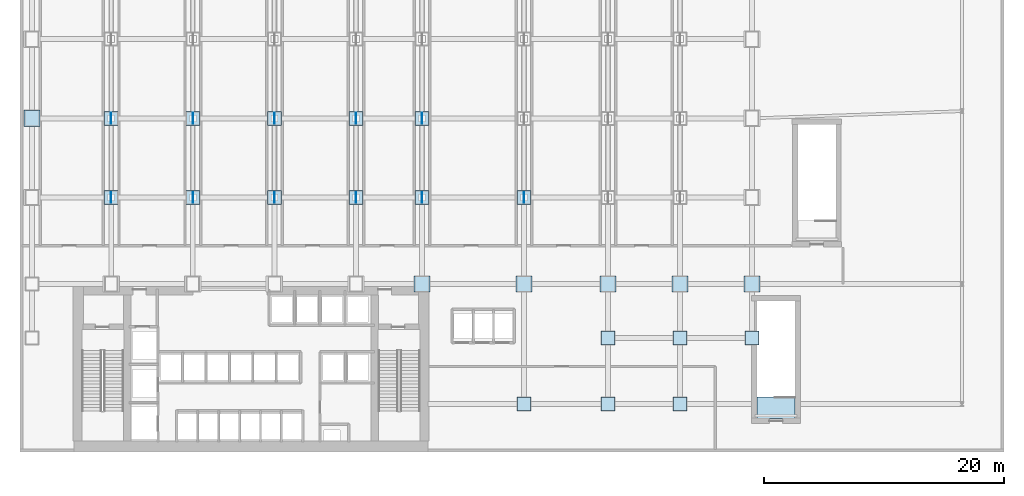
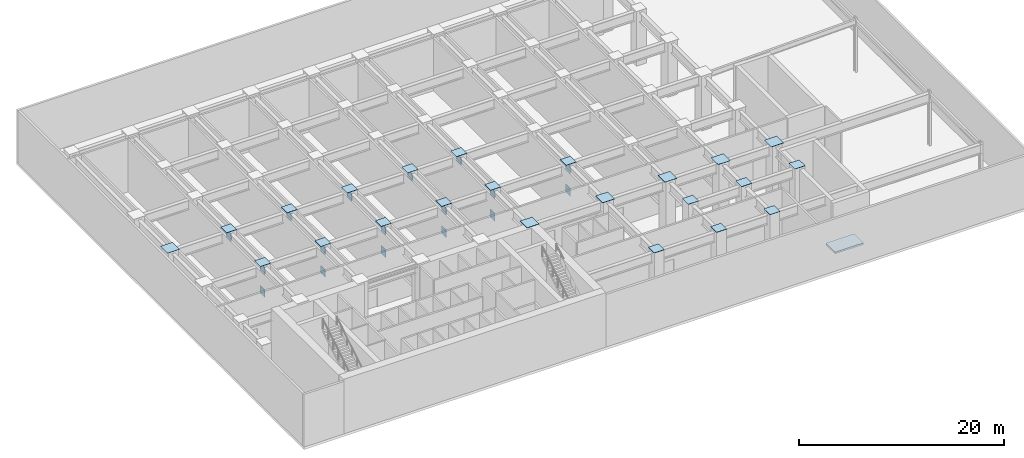
# One storey, part 6 of 15: 40 plates, 1 slab.
"""IFC4 building model written with IfcOpenShell, lengths in metres."""

from ifc_helpers import new_model, si_unit, derived_unit, direction, frame, origin, origin_2d, place, context, subcontext, project, spatial, polyline, rectangle, outline, extrude, source, transform, mapped, material, layer, layer_set, type_object, element, save


model = new_model("IFC4")

# Units and contexts
model_context = context("Model", 3, precision=1e-05, world=origin(), true_north=direction((0.0, 1.0)))
body_context = subcontext(model_context, "Body", "Model", "MODEL_VIEW")
ifc_project = project(units=[si_unit("LENGTHUNIT", "METRE"), si_unit("AREAUNIT", "SQUARE_METRE"), si_unit("VOLUMEUNIT", "CUBIC_METRE"), si_unit("PLANEANGLEUNIT", "RADIAN"), si_unit("MASSUNIT", "GRAM", prefix="KILO"), derived_unit("THERMALTRANSMITTANCEUNIT", [(si_unit("POWERUNIT", "WATT"), 1), (si_unit("LENGTHUNIT", "METRE"), -2), (si_unit("THERMODYNAMICTEMPERATUREUNIT", "KELVIN"), -1)])], contexts=[model_context])

# Site, building, storey
site_placement = place(None, origin())
site = spatial("IfcSite", under=ifc_project, at=site_placement, CompositionType="ELEMENT")
building_placement = place(site_placement, origin())
building = spatial("IfcBuilding", under=site, at=building_placement, Name="Skarnbrae Concourse Arena and Tower", CompositionType="ELEMENT")
storey_placement = place(building_placement, frame((0.0, 0.0, 26.0)))
storey = spatial("IfcBuildingStorey", under=building, at=storey_placement, Name="L05", CompositionType="ELEMENT", Elevation=26.0)

# Slab
ifc_material_1 = material(Name="Concrete 40 MPa (C40/50)", Category="concrete")
ifc_layer_1 = layer(ifc_material_1, 0.199951171875)
ifc_layer_set_1 = layer_set([ifc_layer_1], Name="Concrete 40 MPa (C40/50)")
slab_type = type_object("IfcSlabType", Name="SLAB-LANDING-200", PredefinedType="LANDING", material=ifc_layer_set_1)
slab_placement = place(storey_placement, frame((0.0, 0.0, -0.199951171875)))
element("IfcSlab", 1, at=slab_placement, inside=storey, type_object=slab_type, Name="L05 Stair ST-A1 near floor landing", PredefinedType="LANDING", context=body_context, shape_type="SweptSolid", body=[
    extrude(outline(polyline([(64.60009765625, 2.800048828125), (64.60009765625, 4.60009765625), (61.39990234375, 4.60009765625), (61.39990234375, 2.800048828125), (64.60009765625, 2.800048828125)])), origin(), (0.0, 0.0, 1.0), 0.199951171875),
])

# Plates
ifc_material_2 = material(Name="Steel CSA G40.21 350W", Category="steel")
ifc_layer_2 = layer(ifc_material_2, 0.044921875)
ifc_layer_set_2 = layer_set([ifc_layer_2], Name="Steel CSA G40.21 350W")
plate_type_1 = type_object("IfcPlateType", Name="PLT-NODE-XFER", PredefinedType="USERDEFINED", material=ifc_layer_set_2)
shared_shape_1 = source(origin(), body_context, "Body", "SweptSolid", [
    extrude(rectangle(XDim=0.89990234375, YDim=0.044921875, at=origin_2d()), origin(), (0.0, 0.0, 1.0), 0.89990234375),
])
for number, where, z_axis, x_axis, name in (
    (2, (7.60009765625, 21.199951171875, 5.240966796875), (0.0, 0.0, 1.0), (0.0, 1.0, 0.0), "L05 Transfer truss node plate ND-TR-01 T1.1"),
    (3, (7.60009765625, 27.800048828125, 5.240966796875), (0.0, 0.0, 1.0), (0.0, 1.0, 0.0), "L05 Transfer truss node plate ND-TR-01 T1.2"),
    (4, (7.60009765625, 21.199951171875, 2.570068359375), (0.0, 0.0, 1.0), (0.0, 1.0, 0.0), "L05 Transfer truss Vierendeel portal node plate ND-TR-01 T1"),
    (5, (14.39990234375, 21.199951171875, 5.240966796875), (0.0, 0.0, 1.0), (0.0, 1.0, 0.0), "L05 Transfer truss node plate ND-TR-01 T2.1"),
    (6, (14.39990234375, 27.800048828125, 5.240966796875), (0.0, 0.0, 1.0), (0.0, 1.0, 0.0), "L05 Transfer truss node plate ND-TR-01 T2.2"),
    (7, (14.39990234375, 21.199951171875, 2.570068359375), (0.0, 0.0, 1.0), (0.0, 1.0, 0.0), "L05 Transfer truss Vierendeel portal node plate ND-TR-01 T2"),
    (8, (21.199951171875, 21.199951171875, 5.240966796875), (0.0, 0.0, 1.0), (0.0, 1.0, 0.0), "L05 Transfer truss node plate ND-TR-01 T3.1"),
    (9, (21.199951171875, 27.800048828125, 5.240966796875), (0.0, 0.0, 1.0), (0.0, 1.0, 0.0), "L05 Transfer truss node plate ND-TR-01 T3.2"),
    (10, (21.199951171875, 21.199951171875, 2.570068359375), (0.0, 0.0, 1.0), (0.0, 1.0, 0.0), "L05 Transfer truss Vierendeel portal node plate ND-TR-01 T3"),
    (11, (28.0, 21.199951171875, 5.240966796875), (0.0, 0.0, 1.0), (0.0, 1.0, 0.0), "L05 Transfer truss node plate ND-TR-01 T4.1"),
    (12, (28.0, 27.800048828125, 5.240966796875), (0.0, 0.0, 1.0), (0.0, 1.0, 0.0), "L05 Transfer truss node plate ND-TR-01 T4.2"),
    (13, (28.0, 21.199951171875, 2.570068359375), (0.0, 0.0, 1.0), (0.0, 1.0, 0.0), "L05 Transfer truss Vierendeel portal node plate ND-TR-01 T4"),
    (14, (33.5, 21.199951171875, 5.240966796875), (0.0, 0.0, 1.0), (0.0, 1.0, 0.0), "L05 Transfer truss node plate ND-TR-01 T5.1"),
    (15, (33.5, 27.800048828125, 5.240966796875), (0.0, 0.0, 1.0), (0.0, 1.0, 0.0), "L05 Transfer truss node plate ND-TR-01 T5.2"),
    (16, (33.5, 21.199951171875, 2.570068359375), (0.0, 0.0, 1.0), (0.0, 1.0, 0.0), "L05 Transfer truss Vierendeel portal node plate ND-TR-01 T5"),
    (17, (42.0, 21.199951171875, 5.240966796875), (0.0, 0.0, 1.0), (0.0, 1.0, 0.0), "L05 Transfer truss node plate ND-TR-01 T6.1"),
    (18, (42.0, 21.199951171875, 2.570068359375), (0.0, 0.0, 1.0), (0.0, 1.0, 0.0), "L05 Transfer truss Vierendeel portal node plate ND-TR-01 T6"),
):
    element("IfcPlate", number, at=place(storey_placement, frame(where, z_axis=z_axis, x_axis=x_axis)), inside=storey, type_object=plate_type_1, Name=name, ObjectType="GUSSET PLATE", PredefinedType="USERDEFINED", context=body_context, shape_type="MappedRepresentation", body=[
        mapped(shared_shape_1, transform((0.0, 0.0, 0.0))),
    ])
ifc_layer_3 = layer(ifc_material_2, 0.031982421875)
ifc_layer_set_3 = layer_set([ifc_layer_3], Name="Steel CSA G40.21 350W")
plate_type_2 = type_object("IfcPlateType", Name="PLT-CAP-BOX1100", PredefinedType="USERDEFINED", material=ifc_layer_set_3)
shared_shape_2 = source(origin(), body_context, "Body", "SweptSolid", [
    extrude(rectangle(XDim=1.159912109375, YDim=1.159912109375, at=origin_2d()), origin(), (0.0, 0.0, 1.0), 0.031982421875),
])
for number, where, z_axis, x_axis, name in (
    (19, (61.0, 9.5, 6.4990234375), (0.0, 0.0, 1.0), (1.0, 0.0, 0.0), "L05 Hollow column top cap plate 025"),
    (20, (49.0, 9.5, 6.4990234375), (0.0, 0.0, 1.0), (1.0, 0.0, 0.0), "L05 Hollow column top cap plate 030"),
    (21, (55.0, 9.5, 6.4990234375), (0.0, 0.0, 1.0), (1.0, 0.0, 0.0), "L05 Hollow column top cap plate 031"),
    (22, (42.0, 4.0, 6.4990234375), (0.0, 0.0, 1.0), (1.0, 0.0, 0.0), "L05 Hollow column top cap plate 032"),
    (23, (49.0, 4.0, 6.4990234375), (0.0, 0.0, 1.0), (1.0, 0.0, 0.0), "L05 Hollow column top cap plate 033"),
    (24, (55.0, 4.0, 6.4990234375), (0.0, 0.0, 1.0), (1.0, 0.0, 0.0), "L05 Hollow column top cap plate 034"),
    (25, (7.60009765625, 21.199951171875, 6.4990234375), (0.0, 0.0, 1.0), (1.0, 0.0, 0.0), "L05 Hollow column top cap plate 035"),
    (26, (7.60009765625, 27.800048828125, 6.4990234375), (0.0, 0.0, 1.0), (1.0, 0.0, 0.0), "L05 Hollow column top cap plate 036"),
    (27, (14.39990234375, 21.199951171875, 6.4990234375), (0.0, 0.0, 1.0), (1.0, 0.0, 0.0), "L05 Hollow column top cap plate 039"),
    (28, (14.39990234375, 27.800048828125, 6.4990234375), (0.0, 0.0, 1.0), (1.0, 0.0, 0.0), "L05 Hollow column top cap plate 040"),
    (29, (21.199951171875, 21.199951171875, 6.4990234375), (0.0, 0.0, 1.0), (1.0, 0.0, 0.0), "L05 Hollow column top cap plate 043"),
    (30, (21.199951171875, 27.800048828125, 6.4990234375), (0.0, 0.0, 1.0), (1.0, 0.0, 0.0), "L05 Hollow column top cap plate 044"),
    (31, (28.0, 21.199951171875, 6.4990234375), (0.0, 0.0, 1.0), (1.0, 0.0, 0.0), "L05 Hollow column top cap plate 047"),
    (32, (28.0, 27.800048828125, 6.4990234375), (0.0, 0.0, 1.0), (1.0, 0.0, 0.0), "L05 Hollow column top cap plate 048"),
    (33, (33.5, 21.199951171875, 6.4990234375), (0.0, 0.0, 1.0), (1.0, 0.0, 0.0), "L05 Hollow column top cap plate 051"),
    (34, (33.5, 27.800048828125, 6.4990234375), (0.0, 0.0, 1.0), (1.0, 0.0, 0.0), "L05 Hollow column top cap plate 052"),
    (35, (42.0, 21.199951171875, 6.4990234375), (0.0, 0.0, 1.0), (1.0, 0.0, 0.0), "L05 Hollow column top cap plate 055"),
):
    element("IfcPlate", number, at=place(storey_placement, frame(where, z_axis=z_axis, x_axis=x_axis)), inside=storey, type_object=plate_type_2, Name=name, ObjectType="CAP PLATE", PredefinedType="USERDEFINED", context=body_context, shape_type="MappedRepresentation", body=[
        mapped(shared_shape_2, transform((0.0, 0.0, 0.0))),
    ])
ifc_layer_4 = layer(ifc_material_2, 0.031982421875)
ifc_layer_set_4 = layer_set([ifc_layer_4], Name="Steel CSA G40.21 350W")
plate_type_3 = type_object("IfcPlateType", Name="PLT-CAP-BOX1300", PredefinedType="USERDEFINED", material=ifc_layer_set_4)
shared_shape_3 = source(origin(), body_context, "Body", "SweptSolid", [
    extrude(rectangle(XDim=1.360107421875, YDim=1.360107421875, at=origin_2d()), origin(), (0.0, 0.0, 1.0), 0.031982421875),
])
for number, where, z_axis, x_axis, name in (
    (36, (1.0, 27.800048828125, 6.4990234375), (0.0, 0.0, 1.0), (1.0, 0.0, 0.0), "L05 Hollow column top cap plate 004"),
    (37, (33.5, 14.0, 6.4990234375), (0.0, 0.0, 1.0), (1.0, 0.0, 0.0), "L05 Hollow column top cap plate 011"),
    (38, (42.0, 14.0, 6.4990234375), (0.0, 0.0, 1.0), (1.0, 0.0, 0.0), "L05 Hollow column top cap plate 012"),
    (39, (49.0, 14.0, 6.4990234375), (0.0, 0.0, 1.0), (1.0, 0.0, 0.0), "L05 Hollow column top cap plate 013"),
    (40, (55.0, 14.0, 6.4990234375), (0.0, 0.0, 1.0), (1.0, 0.0, 0.0), "L05 Hollow column top cap plate 014"),
    (41, (61.0, 14.0, 6.4990234375), (0.0, 0.0, 1.0), (1.0, 0.0, 0.0), "L05 Hollow column top cap plate 015"),
):
    element("IfcPlate", number, at=place(storey_placement, frame(where, z_axis=z_axis, x_axis=x_axis)), inside=storey, type_object=plate_type_3, Name=name, ObjectType="CAP PLATE", PredefinedType="USERDEFINED", context=body_context, shape_type="MappedRepresentation", body=[
        mapped(shared_shape_3, transform((0.0, 0.0, 0.0))),
    ])

save(model, "model.ifc")
